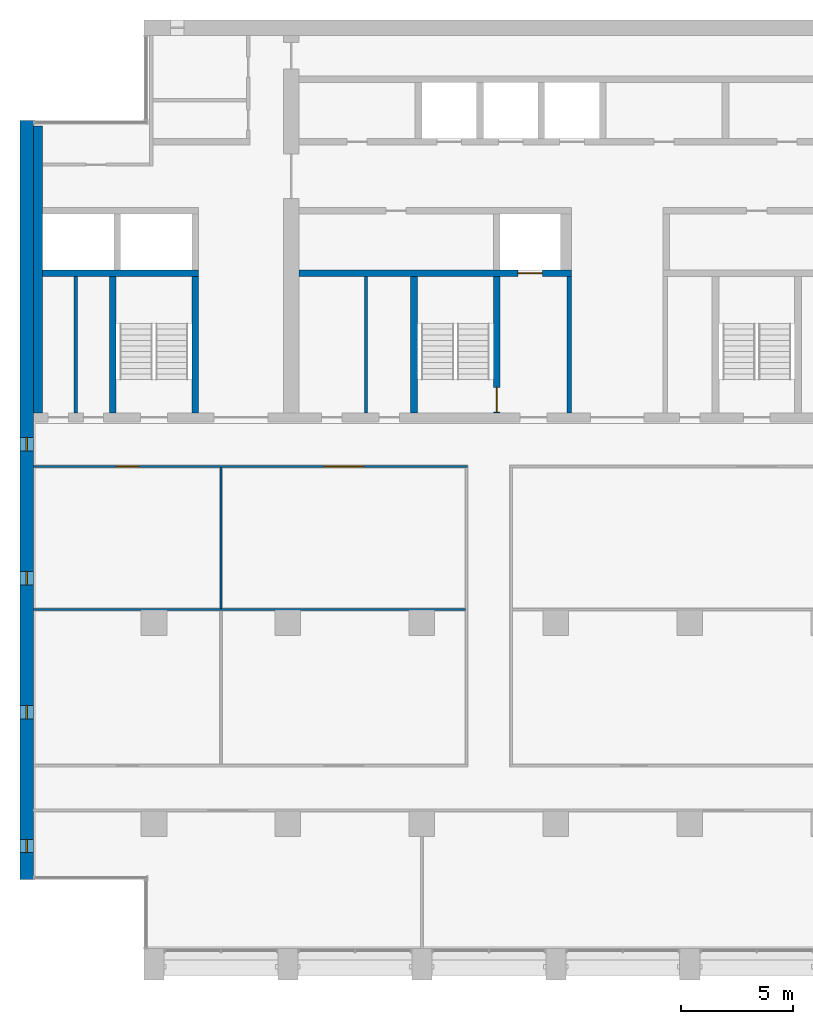
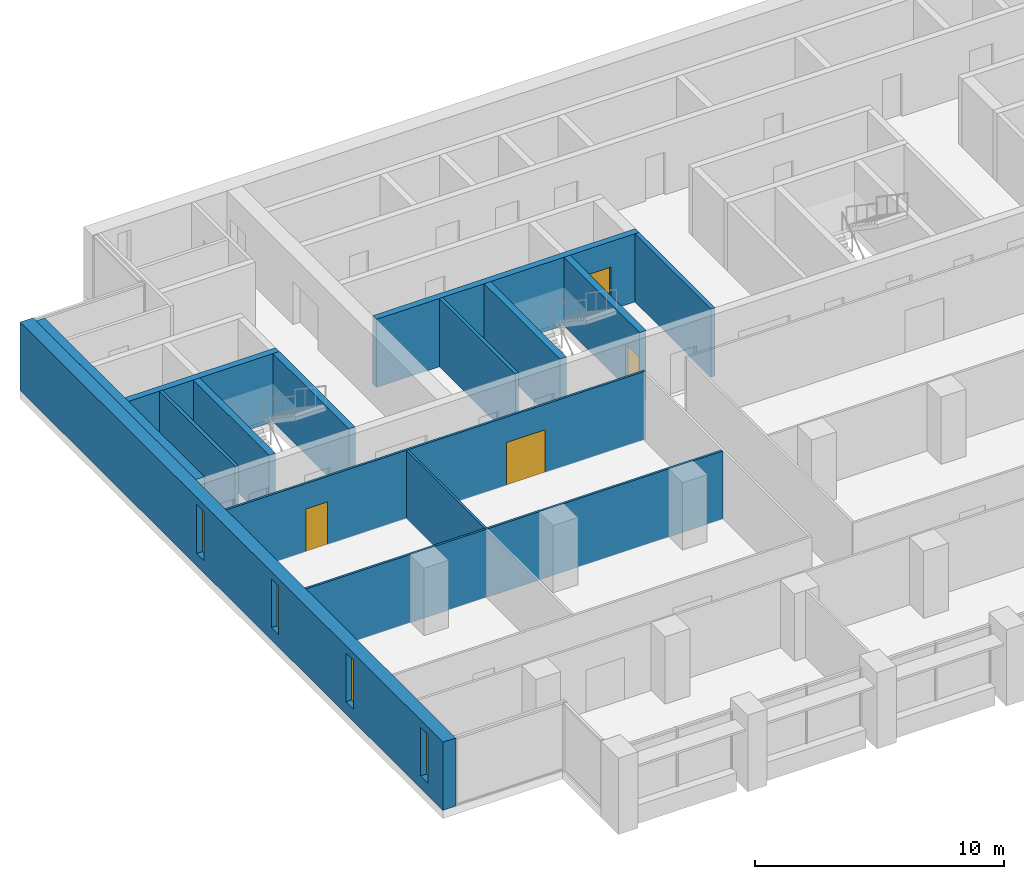
# One storey, part 8 of 16: 14 walls, 4 doors, 4 windows, 8 openings.
"""IFC4 building model written with IfcOpenShell, lengths in metres."""

from ifc_helpers import new_model, si_unit, direction, frame, frame_2d, origin, place, context, subcontext, project, spatial, rectangle, extrude, material, layer, layer_set, type_object, element, fill, save


model = new_model("IFC4")

# Units and contexts
model_context = context("Model", 3, precision=1e-05, world=origin(), true_north=direction((0.0, 1.0)))
body_context = subcontext(model_context, "Body", "Model", "MODEL_VIEW")
ifc_project = project(units=[si_unit("LENGTHUNIT", "METRE"), si_unit("AREAUNIT", "SQUARE_METRE"), si_unit("VOLUMEUNIT", "CUBIC_METRE"), si_unit("PLANEANGLEUNIT", "RADIAN"), si_unit("MASSUNIT", "GRAM", prefix="KILO")], contexts=[model_context])

# Site, building, storey
site_placement = place(None, origin())
site = spatial("IfcSite", under=ifc_project, at=site_placement, CompositionType="ELEMENT")
building_placement = place(site_placement, origin())
building = spatial("IfcBuilding", under=site, at=building_placement, Name="Calvaro Tower", CompositionType="ELEMENT")
storey_placement = place(building_placement, frame((0.0, 0.0, 181.75)))
storey = spatial("IfcBuildingStorey", under=building, at=storey_placement, Name="L45", CompositionType="ELEMENT", Elevation=181.75)

# Walls
ifc_material_1 = material(Name="Blockwork partition", Category="masonry")
ifc_layer_1 = layer(ifc_material_1, 0.14990234375)
ifc_layer_set_1 = layer_set([ifc_layer_1], Name="Blockwork partition")
wall_type_1 = type_object("IfcWallType", Name="Core partition 150 EI 60", PredefinedType="PARTITIONING", material=ifc_layer_set_1)
wall_1_placement = place(storey_placement, frame((8.5, 28.39990234375, 0.0), z_axis=(0.0, 0.0, 1.0), x_axis=(0.0, 1.0, 0.0)))
element("IfcWall", 1, at=wall_1_placement, inside=storey, type_object=wall_type_1, Name="Core partition", PredefinedType="PARTITIONING", context=body_context, shape_type="SweptSolid", body=[
    extrude(rectangle(XDim=6.10009765625, YDim=0.14990234375, at=frame_2d((3.050048828125, 0.0))), origin(), (0.0, 0.0, 1.0), 3.35009765625),
])
ifc_material_2 = material(Name="Blockwork partition", Category="masonry")
ifc_layer_2 = layer(ifc_material_2, 0.14990234375)
ifc_layer_set_2 = layer_set([ifc_layer_2], Name="Blockwork partition")
wall_type_2 = type_object("IfcWallType", Name="Core partition 150 REI 120", PredefinedType="PARTITIONING", material=ifc_layer_set_2)
wall_2_placement = place(storey_placement, frame((21.5, 28.39990234375, 0.0), z_axis=(0.0, 0.0, 1.0), x_axis=(0.0, 1.0, 0.0)))
element("IfcWall", 2, at=wall_2_placement, inside=storey, type_object=wall_type_2, Name="Core partition", PredefinedType="PARTITIONING", context=body_context, shape_type="SweptSolid", body=[
    extrude(rectangle(XDim=6.10009765625, YDim=0.14990234375, at=frame_2d((3.050048828125, 0.0))), origin(), (0.0, 0.0, 1.0), 3.35009765625),
])
ifc_material_3 = material(Name="Blockwork partition", Category="masonry")
ifc_layer_3 = layer(ifc_material_3, 0.199951171875)
ifc_layer_set_3 = layer_set([ifc_layer_3], Name="Blockwork partition")
wall_type_3 = type_object("IfcWallType", Name="Core partition 200 REI 120", PredefinedType="PARTITIONING", material=ifc_layer_set_3)
wall_3_placement = place(storey_placement, frame((30.60009765625, 28.39990234375, 0.0), z_axis=(0.0, 0.0, 1.0), x_axis=(0.0, 1.0, 0.0)))
element("IfcWall", 3, at=wall_3_placement, inside=storey, type_object=wall_type_3, Name="Core partition", PredefinedType="PARTITIONING", context=body_context, shape_type="SweptSolid", body=[
    extrude(rectangle(XDim=6.10009765625, YDim=0.199951171875, at=frame_2d((3.050048828125, 0.0))), origin(), (0.0, 0.0, 1.0), 3.35009765625),
])
ifc_material_4 = material(Name="Concrete C50/60", Category="concrete")
ifc_layer_4 = layer(ifc_material_4, 0.300048828125)
ifc_layer_set_4 = layer_set([ifc_layer_4], Name="Concrete C50/60")
wall_type_4 = type_object("IfcWallType", Name="Core wall C50/60 300", PredefinedType="SHEAR", material=ifc_layer_set_4)
for number, where, z_axis, x_axis, name in (
    (4, (10.14990234375, 28.39990234375, 0.0), (0.0, 0.0, 1.0), (0.0, 1.0, 0.0), "Core wall, stair enclosure"),
    (5, (13.85009765625, 28.39990234375, 0.0), (0.0, 0.0, 1.0), (0.0, 1.0, 0.0), "Core wall, stair enclosure"),
    (6, (23.64990234375, 28.39990234375, 0.0), (0.0, 0.0, 1.0), (0.0, 1.0, 0.0), "Core wall, stair enclosure"),
):
    element("IfcWall", number, at=place(storey_placement, frame(where, z_axis=z_axis, x_axis=x_axis)), inside=storey, type_object=wall_type_4, Name=name, PredefinedType="SHEAR", context=body_context, shape_type="SweptSolid", body=[
        extrude(rectangle(XDim=6.10009765625, YDim=0.300048828125, at=frame_2d((3.050048828125, 0.0))), origin(), (0.0, 0.0, 1.0), 3.35009765625),
    ])

# Wall, opening, door
wall_4_placement = place(storey_placement, frame((27.35009765625, 28.39990234375, 0.0), z_axis=(0.0, 0.0, 1.0), x_axis=(0.0, 1.0, 0.0)))
wall_4 = element("IfcWall", 7, at=wall_4_placement, inside=storey, type_object=wall_type_4, Name="Core wall, stair enclosure", PredefinedType="SHEAR", context=body_context, shape_type="SweptSolid", body=[
    extrude(rectangle(XDim=6.10009765625, YDim=0.300048828125, at=frame_2d((3.050048828125, 0.0))), origin(), (0.0, 0.0, 1.0), 3.35009765625),
])
opening_1_placement = place(wall_4_placement, frame((0.050048828125, 0.0, 0.0)))
opening_1 = element("IfcOpeningElement", 8, at=opening_1_placement, cuts=wall_4, Name="Opening FD11D", PredefinedType="OPENING", context=body_context, shape_type="SweptSolid", body=[
    extrude(rectangle(XDim=1.10009765625, YDim=2.10009765625, at=frame_2d((0.550048828125, 1.050048828125))), frame((0.0, 0.159912109375, 0.0), z_axis=(0.0, -1.0, 0.0), x_axis=(1.0, 0.0, 0.0)), (0.0, 0.0, 1.0), 0.320068359375),
])
ifc_material_5 = material(Name="Steel door set", Category="steel")
door_type_1 = type_object("IfcDoorType", Name="Fire door 1100 FD30S", OperationType="SINGLE_SWING_LEFT", PredefinedType="DOOR", material=ifc_material_5)
door_1_placement = place(opening_1_placement, origin())
door_1 = element("IfcDoor", 9, at=door_1_placement, inside=storey, type_object=door_type_1, Name="Fire door", OperationType="SINGLE_SWING_LEFT", OverallHeight=2.10009765625, OverallWidth=1.10009765625, PredefinedType="DOOR", context=body_context, shape_type="SweptSolid", body=[
    extrude(rectangle(XDim=1.10009765625, YDim=2.10009765625, at=frame_2d((0.550048828125, 1.050048828125))), frame((0.0, 0.02490234375, 0.0), z_axis=(0.0, -1.0, 0.0), x_axis=(1.0, 0.0, 0.0)), (0.0, 0.0, 1.0), 0.050048828125),
])
fill(opening_1, door_1)

# Wall
wall_5_placement = place(storey_placement, frame((7.0, 34.64990234375, 0.0), z_axis=(0.0, 0.0, 1.0), x_axis=(1.0, 0.0, 0.0)))
element("IfcWall", 10, at=wall_5_placement, inside=storey, type_object=wall_type_4, Name="Core wall, lift shaft", PredefinedType="SHEAR", context=body_context, shape_type="SweptSolid", body=[
    extrude(rectangle(XDim=7.0, YDim=0.300048828125, at=frame_2d((3.5, 0.0))), origin(), (0.0, 0.0, 1.0), 3.35009765625),
])

# Wall, opening, door
wall_6_placement = place(storey_placement, frame((18.5, 34.64990234375, 0.0), z_axis=(0.0, 0.0, 1.0), x_axis=(1.0, 0.0, 0.0)))
wall_6 = element("IfcWall", 11, at=wall_6_placement, inside=storey, type_object=wall_type_4, Name="Core wall, lift shaft", PredefinedType="SHEAR", context=body_context, shape_type="SweptSolid", body=[
    extrude(rectangle(XDim=12.199951171875, YDim=0.300048828125, at=frame_2d((6.10009765625, 0.0))), origin(), (0.0, 0.0, 1.0), 3.35009765625),
])
opening_2_placement = place(wall_6_placement, frame((9.800048828125, 0.0, 0.0)))
opening_2 = element("IfcOpeningElement", 12, at=opening_2_placement, cuts=wall_6, Name="Opening FF1", PredefinedType="OPENING", context=body_context, shape_type="SweptSolid", body=[
    extrude(rectangle(XDim=1.10009765625, YDim=2.10009765625, at=frame_2d((0.550048828125, 1.050048828125))), frame((0.0, 0.159912109375, 0.0), z_axis=(0.0, -1.0, 0.0), x_axis=(1.0, 0.0, 0.0)), (0.0, 0.0, 1.0), 0.320068359375),
])
ifc_material_6 = material(Name="Stainless steel", Category="steel")
door_type_2 = type_object("IfcDoorType", Name="Landing door 1100 E 60", OperationType="SLIDING_TO_LEFT", PredefinedType="DOOR", material=ifc_material_6)
door_2_placement = place(opening_2_placement, origin())
door_2 = element("IfcDoor", 13, at=door_2_placement, inside=storey, type_object=door_type_2, Name="Landing door FF1", OperationType="SLIDING_TO_LEFT", OverallHeight=2.10009765625, OverallWidth=1.10009765625, PredefinedType="DOOR", context=body_context, shape_type="SweptSolid", body=[
    extrude(rectangle(XDim=1.10009765625, YDim=2.10009765625, at=frame_2d((0.550048828125, 1.050048828125))), frame((0.0, 0.02490234375, 0.0), z_axis=(0.0, -1.0, 0.0), x_axis=(1.0, 0.0, 0.0)), (0.0, 0.0, 1.0), 0.050048828125),
])
fill(opening_2, door_2)

# Wall
ifc_material_7 = material(Name="Concrete C50/60", Category="concrete")
ifc_layer_5 = layer(ifc_material_7, 0.39990234375)
ifc_layer_set_5 = layer_set([ifc_layer_5], Name="Concrete C50/60")
wall_type_5 = type_object("IfcWallType", Name="Core wall C50/60 400", PredefinedType="SHEAR", material=ifc_layer_set_5)
wall_7_placement = place(storey_placement, frame((6.800048828125, 28.39990234375, 0.0), z_axis=(0.0, 0.0, 1.0), x_axis=(0.0, 1.0, 0.0)))
element("IfcWall", 14, at=wall_7_placement, inside=storey, type_object=wall_type_5, Name="Core wall, boundary", PredefinedType="SHEAR", context=body_context, shape_type="SweptSolid", body=[
    extrude(rectangle(XDim=12.85009765625, YDim=0.39990234375, at=frame_2d((6.425048828125, 0.0))), origin(), (0.0, 0.0, 1.0), 3.35009765625),
])

# Wall, openings, windows
ifc_material_8 = material(Name="Concrete C50/60", Category="concrete")
ifc_layer_6 = layer(ifc_material_8, 0.60009765625)
ifc_layer_set_6 = layer_set([ifc_layer_6], Name="Concrete C50/60")
wall_type_6 = type_object("IfcWallType", Name="End wall 600 C50/60", PredefinedType="SHEAR", material=ifc_layer_set_6)
wall_8_placement = place(storey_placement, frame((6.300048828125, 7.5, 0.0), z_axis=(0.0, 0.0, 1.0), x_axis=(0.0, 1.0, 0.0)))
wall_8 = element("IfcWall", 15, at=wall_8_placement, inside=storey, type_object=wall_type_6, Name="End shear wall", PredefinedType="SHEAR", context=body_context, shape_type="SweptSolid", body=[
    extrude(rectangle(XDim=34.0, YDim=0.60009765625, at=frame_2d((17.0, 0.0))), origin(), (0.0, 0.0, 1.0), 3.35009765625),
])
opening_3_placement = place(wall_8_placement, frame((1.199951171875, 0.0, 0.60009765625)))
opening_3 = element("IfcOpeningElement", 16, at=opening_3_placement, cuts=wall_8, Name="Opening WW01", PredefinedType="OPENING", context=body_context, shape_type="SweptSolid", body=[
    extrude(rectangle(XDim=0.60009765625, YDim=2.39990234375, at=frame_2d((0.300048828125, 1.199951171875))), frame((0.0, 0.31005859375, 0.0), z_axis=(0.0, -1.0, 0.0), x_axis=(1.0, 0.0, 0.0)), (0.0, 0.0, 1.0), 0.6201171875),
])
opening_4_placement = place(wall_8_placement, frame((7.199951171875, 0.0, 0.60009765625)))
opening_4 = element("IfcOpeningElement", 17, at=opening_4_placement, cuts=wall_8, Name="Opening WW02", PredefinedType="OPENING", context=body_context, shape_type="SweptSolid", body=[
    extrude(rectangle(XDim=0.60009765625, YDim=2.39990234375, at=frame_2d((0.300048828125, 1.199951171875))), frame((0.0, 0.31005859375, 0.0), z_axis=(0.0, -1.0, 0.0), x_axis=(1.0, 0.0, 0.0)), (0.0, 0.0, 1.0), 0.6201171875),
])
opening_5_placement = place(wall_8_placement, frame((13.199951171875, 0.0, 0.60009765625)))
opening_5 = element("IfcOpeningElement", 18, at=opening_5_placement, cuts=wall_8, Name="Opening WW03", PredefinedType="OPENING", context=body_context, shape_type="SweptSolid", body=[
    extrude(rectangle(XDim=0.60009765625, YDim=2.39990234375, at=frame_2d((0.300048828125, 1.199951171875))), frame((0.0, 0.31005859375, 0.0), z_axis=(0.0, -1.0, 0.0), x_axis=(1.0, 0.0, 0.0)), (0.0, 0.0, 1.0), 0.6201171875),
])
opening_6_placement = place(wall_8_placement, frame((19.199951171875, 0.0, 0.60009765625)))
opening_6 = element("IfcOpeningElement", 19, at=opening_6_placement, cuts=wall_8, Name="Opening WW04", PredefinedType="OPENING", context=body_context, shape_type="SweptSolid", body=[
    extrude(rectangle(XDim=0.60009765625, YDim=2.39990234375, at=frame_2d((0.300048828125, 1.199951171875))), frame((0.0, 0.31005859375, 0.0), z_axis=(0.0, -1.0, 0.0), x_axis=(1.0, 0.0, 0.0)), (0.0, 0.0, 1.0), 0.6201171875),
])
ifc_material_9 = material(Name="Glass", Category="glass")
window_type = type_object("IfcWindowType", Name="Slit window 600 x 2400", PartitioningType="SINGLE_PANEL", PredefinedType="WINDOW", material=ifc_material_9)
window_1_placement = place(opening_3_placement, origin())
window_1 = element("IfcWindow", 20, at=window_1_placement, inside=storey, type_object=window_type, Name="Window WW01", OverallHeight=2.39990234375, OverallWidth=0.60009765625, PartitioningType="SINGLE_PANEL", PredefinedType="WINDOW", context=body_context, shape_type="SweptSolid", body=[
    extrude(rectangle(XDim=0.60009765625, YDim=2.39990234375, at=frame_2d((0.300048828125, 1.199951171875))), frame((0.0, 0.030029296875, 0.0), z_axis=(0.0, -1.0, 0.0), x_axis=(1.0, 0.0, 0.0)), (0.0, 0.0, 1.0), 0.06005859375),
])
fill(opening_3, window_1)
window_2_placement = place(opening_4_placement, origin())
window_2 = element("IfcWindow", 21, at=window_2_placement, inside=storey, type_object=window_type, Name="Window WW02", OverallHeight=2.39990234375, OverallWidth=0.60009765625, PartitioningType="SINGLE_PANEL", PredefinedType="WINDOW", context=body_context, shape_type="SweptSolid", body=[
    extrude(rectangle(XDim=0.60009765625, YDim=2.39990234375, at=frame_2d((0.300048828125, 1.199951171875))), frame((0.0, 0.030029296875, 0.0), z_axis=(0.0, -1.0, 0.0), x_axis=(1.0, 0.0, 0.0)), (0.0, 0.0, 1.0), 0.06005859375),
])
fill(opening_4, window_2)
window_3_placement = place(opening_5_placement, origin())
window_3 = element("IfcWindow", 22, at=window_3_placement, inside=storey, type_object=window_type, Name="Window WW03", OverallHeight=2.39990234375, OverallWidth=0.60009765625, PartitioningType="SINGLE_PANEL", PredefinedType="WINDOW", context=body_context, shape_type="SweptSolid", body=[
    extrude(rectangle(XDim=0.60009765625, YDim=2.39990234375, at=frame_2d((0.300048828125, 1.199951171875))), frame((0.0, 0.030029296875, 0.0), z_axis=(0.0, -1.0, 0.0), x_axis=(1.0, 0.0, 0.0)), (0.0, 0.0, 1.0), 0.06005859375),
])
fill(opening_5, window_3)
window_4_placement = place(opening_6_placement, origin())
window_4 = element("IfcWindow", 23, at=window_4_placement, inside=storey, type_object=window_type, Name="Window WW04", OverallHeight=2.39990234375, OverallWidth=0.60009765625, PartitioningType="SINGLE_PANEL", PredefinedType="WINDOW", context=body_context, shape_type="SweptSolid", body=[
    extrude(rectangle(XDim=0.60009765625, YDim=2.39990234375, at=frame_2d((0.300048828125, 1.199951171875))), frame((0.0, 0.030029296875, 0.0), z_axis=(0.0, -1.0, 0.0), x_axis=(1.0, 0.0, 0.0)), (0.0, 0.0, 1.0), 0.06005859375),
])
fill(opening_6, window_4)

# Wall
ifc_material_10 = material(Name="Plasterboard on steel studs", Category="steel")
ifc_layer_7 = layer(ifc_material_10, 0.10009765625)
ifc_layer_set_7 = layer_set([ifc_layer_7], Name="Plasterboard on steel studs")
wall_type_7 = type_object("IfcWallType", Name="Partition 100", PredefinedType="PARTITIONING", material=ifc_layer_set_7)
wall_9_placement = place(storey_placement, frame((6.60009765625, 19.60009765625, 0.0), z_axis=(0.0, 0.0, 1.0), x_axis=(1.0, 0.0, 0.0)))
element("IfcWall", 24, at=wall_9_placement, inside=storey, type_object=wall_type_7, Name="Partition T26.W005", PredefinedType="PARTITIONING", context=body_context, shape_type="SweptSolid", body=[
    extrude(rectangle(XDim=19.349853515625, YDim=0.10009765625, at=frame_2d((9.6748046875, 0.0))), origin(), (0.0, 0.0, 1.0), 3.35009765625),
])

# Wall, openings, doors
wall_10_placement = place(storey_placement, frame((6.60009765625, 26.0, 0.0), z_axis=(0.0, 0.0, 1.0), x_axis=(1.0, 0.0, 0.0)))
wall_10 = element("IfcWall", 25, at=wall_10_placement, inside=storey, type_object=wall_type_7, Name="Partition T26.W008", PredefinedType="PARTITIONING", context=body_context, shape_type="SweptSolid", body=[
    extrude(rectangle(XDim=19.449951171875, YDim=0.10009765625, at=frame_2d((9.72509765625, 0.0))), origin(), (0.0, 0.0, 1.0), 3.35009765625),
])
opening_7_placement = place(wall_10_placement, frame((3.699951171875, 0.0, 0.0)))
opening_7 = element("IfcOpeningElement", 26, at=opening_7_placement, cuts=wall_10, Name="Opening T26.009", PredefinedType="OPENING", context=body_context, shape_type="SweptSolid", body=[
    extrude(rectangle(XDim=1.0, YDim=2.10009765625, at=frame_2d((0.5, 1.050048828125))), frame((0.0, 0.06005859375, 0.0), z_axis=(0.0, -1.0, 0.0), x_axis=(1.0, 0.0, 0.0)), (0.0, 0.0, 1.0), 0.1201171875),
])
opening_8_placement = place(wall_10_placement, frame((13.0, 0.0, 0.0)))
opening_8 = element("IfcOpeningElement", 27, at=opening_8_placement, cuts=wall_10, Name="Opening T26.010", PredefinedType="OPENING", context=body_context, shape_type="SweptSolid", body=[
    extrude(rectangle(XDim=1.800048828125, YDim=2.10009765625, at=frame_2d((0.89990234375, 1.050048828125))), frame((0.0, 0.06005859375, 0.0), z_axis=(0.0, -1.0, 0.0), x_axis=(1.0, 0.0, 0.0)), (0.0, 0.0, 1.0), 0.1201171875),
])
ifc_material_11 = material(Name="Timber", Category="wood")
door_type_3 = type_object("IfcDoorType", Name="Internal double door 1800 x 2100", OperationType="DOUBLE_DOOR_SINGLE_SWING", PredefinedType="DOOR", material=ifc_material_11)
door_3_placement = place(opening_8_placement, origin())
door_3 = element("IfcDoor", 28, at=door_3_placement, inside=storey, type_object=door_type_3, Name="Door T26.010", OperationType="DOUBLE_DOOR_SINGLE_SWING", OverallHeight=2.10009765625, OverallWidth=1.800048828125, PredefinedType="DOOR", context=body_context, shape_type="SweptSolid", body=[
    extrude(rectangle(XDim=1.800048828125, YDim=2.10009765625, at=frame_2d((0.89990234375, 1.050048828125))), frame((0.0, 0.02490234375, 0.0), z_axis=(0.0, -1.0, 0.0), x_axis=(1.0, 0.0, 0.0)), (0.0, 0.0, 1.0), 0.050048828125),
])
fill(opening_8, door_3)
ifc_material_12 = material(Name="Timber", Category="wood")
door_type_4 = type_object("IfcDoorType", Name="Internal single door 1000 x 2100", OperationType="SINGLE_SWING_LEFT", PredefinedType="DOOR", material=ifc_material_12)
door_4_placement = place(opening_7_placement, origin())
door_4 = element("IfcDoor", 29, at=door_4_placement, inside=storey, type_object=door_type_4, Name="Door T26.009", OperationType="SINGLE_SWING_LEFT", OverallHeight=2.10009765625, OverallWidth=1.0, PredefinedType="DOOR", context=body_context, shape_type="SweptSolid", body=[
    extrude(rectangle(XDim=1.0, YDim=2.10009765625, at=frame_2d((0.5, 1.050048828125))), frame((0.0, 0.02490234375, 0.0), z_axis=(0.0, -1.0, 0.0), x_axis=(1.0, 0.0, 0.0)), (0.0, 0.0, 1.0), 0.050048828125),
])
fill(opening_7, door_4)

# Wall
wall_11_placement = place(storey_placement, frame((15.0, 19.64990234375, 0.0), z_axis=(0.0, 0.0, 1.0), x_axis=(0.0, 1.0, 0.0)))
element("IfcWall", 30, at=wall_11_placement, inside=storey, type_object=wall_type_7, Name="Partition T26.W013", PredefinedType="PARTITIONING", context=body_context, shape_type="SweptSolid", body=[
    extrude(rectangle(XDim=6.300048828125, YDim=0.10009765625, at=frame_2d((3.14990234375, 0.0))), origin(), (0.0, 0.0, 1.0), 3.35009765625),
])

save(model, "model.ifc")
